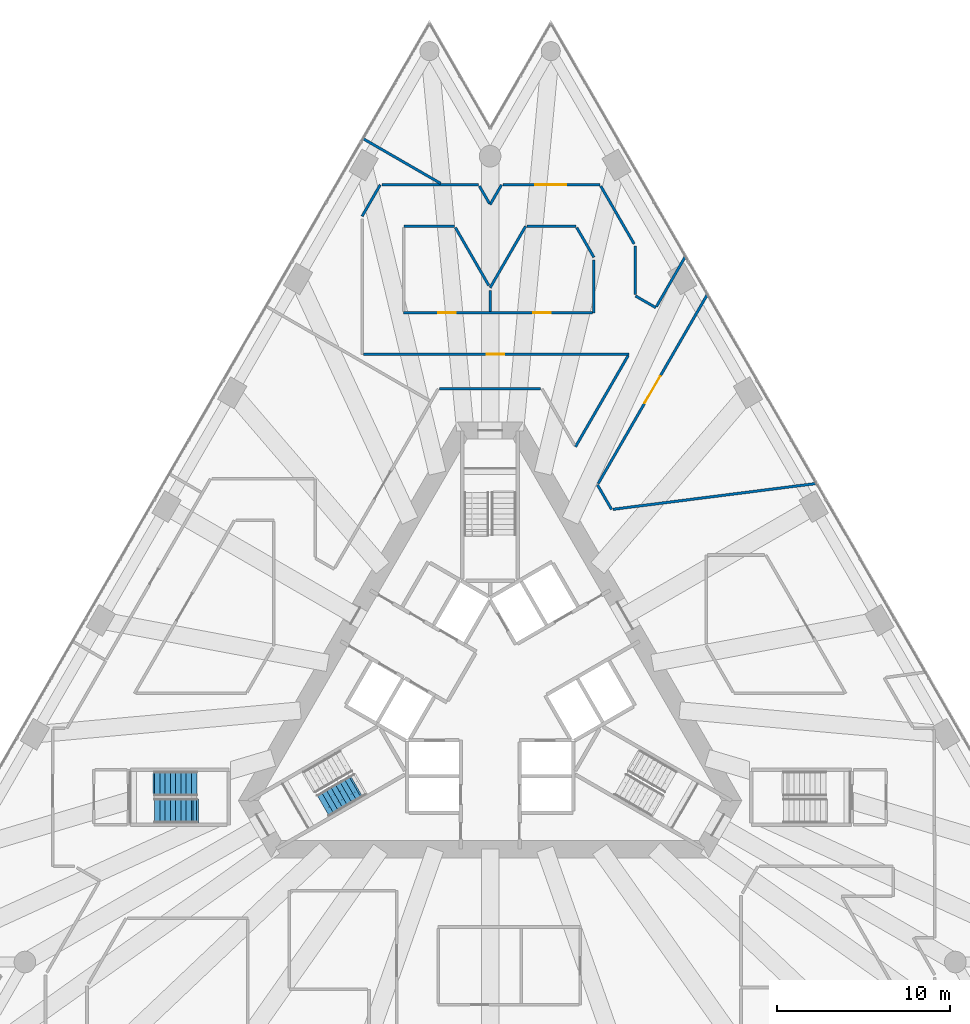
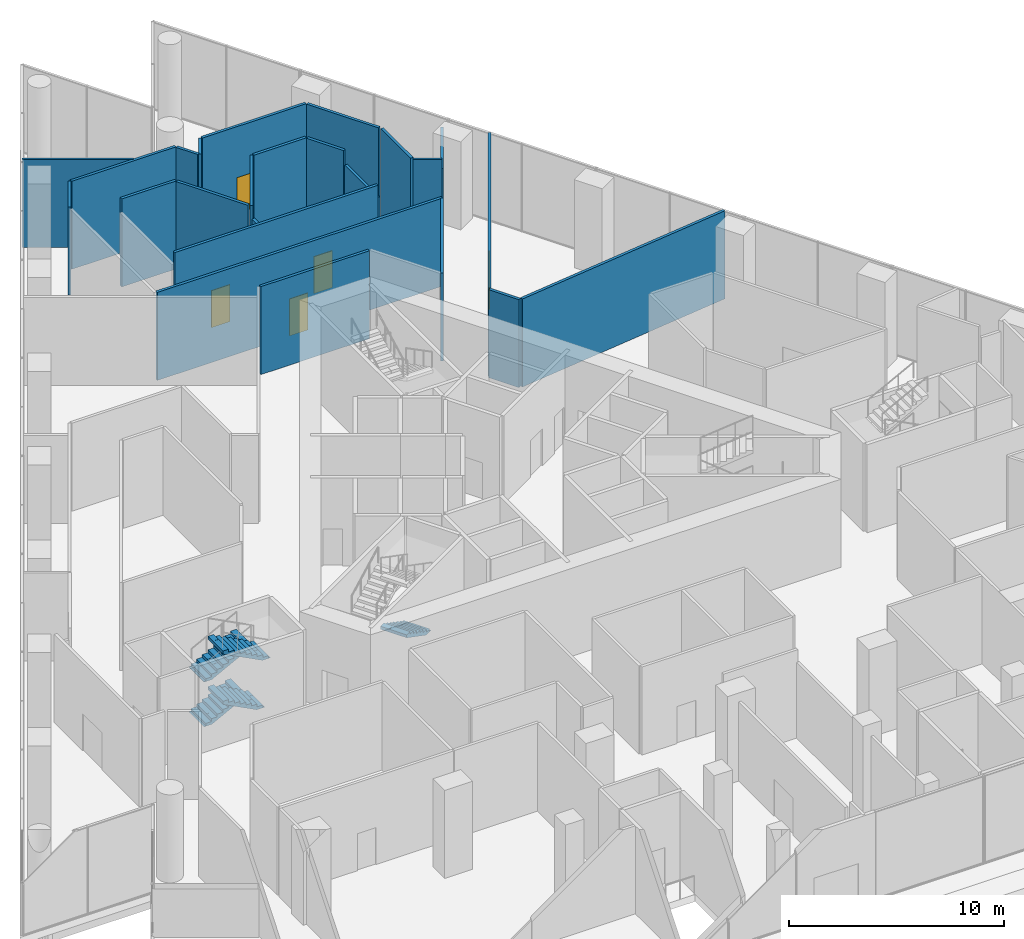
# One storey, part 25 of 29: 24 walls, 5 doors, 5 stair flights, 5 openings, 2 elements without a shape of their own.
"""IFC4 building model written with IfcOpenShell, lengths in metres."""

from ifc_helpers import new_model, si_unit, direction, frame, frame_2d, origin, place, context, subcontext, project, spatial, polyline, rectangle, outline, extrude, material, layer, layer_set, type_object, element, fill, aggregate, save


model = new_model("IFC4")

# Units and contexts
model_context = context("Model", 3, precision=1e-05, world=origin(), true_north=direction((0.0, 1.0)))
body_context = subcontext(model_context, "Body", "Model", "MODEL_VIEW")
ifc_project = project(units=[si_unit("LENGTHUNIT", "METRE"), si_unit("AREAUNIT", "SQUARE_METRE"), si_unit("VOLUMEUNIT", "CUBIC_METRE"), si_unit("PLANEANGLEUNIT", "RADIAN"), si_unit("MASSUNIT", "GRAM", prefix="KILO")], contexts=[model_context])

# Site, building, storey
site_placement = place(None, origin())
site = spatial("IfcSite", under=ifc_project, at=site_placement, CompositionType="ELEMENT")
building_placement = place(site_placement, origin())
building = spatial("IfcBuilding", under=site, at=building_placement, Name="Triada Interchange Tower", CompositionType="ELEMENT")
storey_placement = place(building_placement, frame((0.0, 0.0, 19.89990234375)))
storey = spatial("IfcBuildingStorey", under=building, at=storey_placement, Name="L03", CompositionType="ELEMENT", Elevation=19.89990234375)

# Walls
ifc_material_1 = material(Name="Gypsum board partition")
ifc_layer = layer(ifc_material_1, 0.14990234375)
ifc_layer_set = layer_set([ifc_layer], Name="PARTITION 150 EI 90")
wall_type = type_object("IfcWallType", Name="PARTITION 150 EI 90", PredefinedType="PARTITIONING", material=ifc_layer_set)
wall_1_placement = place(storey_placement, frame((-0.0029296875, 28.2509765625, 0.0), z_axis=(0.0, 0.0, 1.0), x_axis=(0.500644997499, 0.865652693913, 0.0)))
element("IfcWall", 1, at=wall_1_placement, inside=storey, type_object=wall_type, Name="Wall L03 36", PredefinedType="PARTITIONING", context=body_context, shape_type="SweptSolid", body=[
    extrude(rectangle(XDim=1.328369140625, YDim=0.14990234375, at=frame_2d((0.6640625, 0.0))), origin(), (0.0, 0.0, 1.0), 5.0),
])
wall_2_placement = place(storey_placement, frame((-7.39990234375, 27.58203125, 0.0), z_axis=(0.0, 0.0, 1.0), x_axis=(0.499742594395, 0.866173965983, 0.0)))
element("IfcWall", 2, at=wall_2_placement, inside=storey, type_object=wall_type, Name="Wall L03 42", PredefinedType="PARTITIONING", context=body_context, shape_type="SweptSolid", body=[
    extrude(rectangle(XDim=2.0986328125, YDim=0.14990234375, at=frame_2d((1.04931640625, 0.0))), origin(), (0.0, 0.0, 1.0), 5.0),
])
wall_3_placement = place(storey_placement, frame((-7.34912109375, 32.070068359375, 0.0), z_axis=(0.0, 0.0, 1.0), x_axis=(0.866049297308, -0.49995861292, 0.0)))
element("IfcWall", 3, at=wall_3_placement, inside=storey, type_object=wall_type, Name="Wall L03 53", PredefinedType="PARTITIONING", context=body_context, shape_type="SweptSolid", body=[
    extrude(rectangle(XDim=5.1904296875, YDim=0.14990234375, at=frame_2d((2.59521484375, 0.0))), origin(), (0.0, 0.0, 1.0), 5.0),
])
wall_4_placement = place(storey_placement, frame((8.39990234375, 22.97705078125, 0.0), z_axis=(0.0, 0.0, 1.0), x_axis=(0.866212506108, -0.499675789149, 0.0)))
element("IfcWall", 4, at=wall_4_placement, inside=storey, type_object=wall_type, Name="Wall L03 54", PredefinedType="PARTITIONING", context=body_context, shape_type="SweptSolid", body=[
    extrude(rectangle(XDim=1.35888671875, YDim=0.14990234375, at=frame_2d((0.679443359375, 0.0))), origin(), (0.0, 0.0, 1.0), 5.0),
])
wall_5_placement = place(storey_placement, frame((-6.263916015625, 29.39990234375, 0.0), z_axis=(0.0, 0.0, 1.0), x_axis=(1.0, 0.0, 0.0)))
element("IfcWall", 5, at=wall_5_placement, inside=storey, type_object=wall_type, Name="Wall L03 55", PredefinedType="PARTITIONING", context=body_context, shape_type="SweptSolid", body=[
    extrude(rectangle(XDim=5.599853515625, YDim=0.14990234375, at=frame_2d((2.7998046875, 0.0))), origin(), (0.0, 0.0, 1.0), 5.0),
])

# Wall, opening, door
wall_6_placement = place(storey_placement, frame((0.7509765625, 29.39990234375, 0.0), z_axis=(0.0, 0.0, 1.0), x_axis=(1.0, 0.0, 0.0)))
wall_6 = element("IfcWall", 6, at=wall_6_placement, inside=storey, type_object=wall_type, Name="Wall L03 56", PredefinedType="PARTITIONING", context=body_context, shape_type="SweptSolid", body=[
    extrude(rectangle(XDim=5.60009765625, YDim=0.14990234375, at=frame_2d((2.800048828125, 0.0))), origin(), (0.0, 0.0, 1.0), 5.0),
])
opening_1_placement = place(wall_6_placement, frame((1.85595703125, 0.0, 0.0)))
opening_1 = element("IfcOpeningElement", 7, at=opening_1_placement, cuts=wall_6, Name="Opening D03-37", PredefinedType="OPENING", context=body_context, shape_type="SweptSolid", body=[
    extrude(rectangle(XDim=1.800048828125, YDim=2.10009765625, at=frame_2d((0.89990234375, 1.050048828125))), frame((0.0, 0.0849609375, 0.0), z_axis=(0.0, -1.0, 0.0), x_axis=(1.0, 0.0, 0.0)), (0.0, 0.0, 1.0), 0.169921875),
])
ifc_material_2 = material(Name="Steel S235 door leaf", Category="steel")
door_type_1 = type_object("IfcDoorType", Name="SHOP AND HALL ENTRANCE DOOR 1800 EI2 90-C5S200", OperationType="DOUBLE_DOOR_SINGLE_SWING", PredefinedType="DOOR", material=ifc_material_2)
door_1_placement = place(opening_1_placement, origin())
door_1 = element("IfcDoor", 8, at=door_1_placement, inside=storey, type_object=door_type_1, Name="Door D03-37 L03", OperationType="DOUBLE_DOOR_SINGLE_SWING", OverallHeight=2.10009765625, OverallWidth=1.800048828125, PredefinedType="DOOR", context=body_context, shape_type="SweptSolid", body=[
    extrude(rectangle(XDim=1.800048828125, YDim=2.10009765625, at=frame_2d((0.89990234375, 1.050048828125))), frame((0.0, 0.02490234375, 0.0), z_axis=(0.0, -1.0, 0.0), x_axis=(1.0, 0.0, 0.0)), (0.0, 0.0, 1.0), 0.050048828125),
])
fill(opening_1, door_1)

wall_7_placement = place(storey_placement, frame((-7.324951171875, 19.60009765625, 0.0), z_axis=(0.0, 0.0, 1.0), x_axis=(1.0, 0.0, 0.0)))
wall_7 = element("IfcWall", 9, at=wall_7_placement, inside=storey, type_object=wall_type, Name="Wall L03 58", PredefinedType="PARTITIONING", context=body_context, shape_type="SweptSolid", body=[
    extrude(rectangle(XDim=15.343994140625, YDim=0.14990234375, at=frame_2d((7.671875, 0.0))), origin(), (0.0, 0.0, 1.0), 5.0),
])
opening_2_placement = place(wall_7_placement, frame((7.135009765625, 0.0, 0.0)))
opening_2 = element("IfcOpeningElement", 10, at=opening_2_placement, cuts=wall_7, Name="Opening D03-36", PredefinedType="OPENING", context=body_context, shape_type="SweptSolid", body=[
    extrude(rectangle(XDim=1.0, YDim=2.10009765625, at=frame_2d((0.5, 1.050048828125))), frame((0.0, 0.0849609375, 0.0), z_axis=(0.0, -1.0, 0.0), x_axis=(1.0, 0.0, 0.0)), (0.0, 0.0, 1.0), 0.169921875),
])
door_type_2 = type_object("IfcDoorType", Name="ROOM DOOR 1000 EI2 45-C5S200", OperationType="NOTDEFINED", PredefinedType="DOOR", material=ifc_material_2)
door_2_placement = place(opening_2_placement, origin())
door_2 = element("IfcDoor", 11, at=door_2_placement, inside=storey, type_object=door_type_2, Name="Door D03-36 L03", OperationType="SINGLE_SWING_RIGHT", OverallHeight=2.10009765625, OverallWidth=1.0, PredefinedType="DOOR", context=body_context, shape_type="SweptSolid", body=[
    extrude(rectangle(XDim=1.0, YDim=2.10009765625, at=frame_2d((0.5, 1.050048828125))), frame((0.0, 0.02490234375, 0.0), z_axis=(0.0, -1.0, 0.0), x_axis=(1.0, 0.0, 0.0)), (0.0, 0.0, 1.0), 0.050048828125),
])
fill(opening_2, door_2)

# Walls
wall_8_placement = place(storey_placement, frame((4.93310546875, 14.2548828125, 0.0), z_axis=(0.0, 0.0, 1.0), x_axis=(0.500039629421, 0.866002522519, 0.0)))
element("IfcWall", 12, at=wall_8_placement, inside=storey, type_object=wall_type, Name="Wall L03 59", PredefinedType="PARTITIONING", context=body_context, shape_type="SweptSolid", body=[
    extrude(rectangle(XDim=6.08544921875, YDim=0.14990234375, at=frame_2d((3.042724609375, 0.0))), origin(), (0.0, 0.0, 1.0), 5.0),
])
wall_9_placement = place(storey_placement, frame((9.614013671875, 22.363037109375, 0.0), z_axis=(0.0, 0.0, 1.0), x_axis=(0.500070516041, 0.865984687501, 0.0)))
element("IfcWall", 13, at=wall_9_placement, inside=storey, type_object=wall_type, Name="Wall L03 60", PredefinedType="PARTITIONING", context=body_context, shape_type="SweptSolid", body=[
    extrude(rectangle(XDim=3.33935546875, YDim=0.14990234375, at=frame_2d((1.669677734375, 0.0))), origin(), (0.0, 0.0, 1.0), 4.400146484375),
])
wall_10_placement = place(storey_placement, frame((6.202880859375, 12.054931640625, 0.0), z_axis=(0.0, 0.0, 1.0), x_axis=(0.500245418622, -0.865883664904, 0.0)))
element("IfcWall", 14, at=wall_10_placement, inside=storey, type_object=wall_type, Name="Wall L03 62", PredefinedType="PARTITIONING", context=body_context, shape_type="SweptSolid", body=[
    extrude(rectangle(XDim=1.643310546875, YDim=0.14990234375, at=frame_2d((0.82177734375, 0.0))), origin(), (0.0, 0.0, 1.0), 5.0),
])
wall_11_placement = place(storey_placement, frame((-2.916015625, 17.60009765625, 0.0), z_axis=(0.0, 0.0, 1.0), x_axis=(1.0, 0.0, 0.0)))
element("IfcWall", 15, at=wall_11_placement, inside=storey, type_object=wall_type, Name="Wall L03 63", PredefinedType="PARTITIONING", context=body_context, shape_type="SweptSolid", body=[
    extrude(rectangle(XDim=5.83203125, YDim=0.14990234375, at=frame_2d((2.916015625, 0.0))), origin(), (0.0, 0.0, 1.0), 5.0),
])
wall_12_placement = place(storey_placement, frame((8.39990234375, 23.06396484375, 0.0), z_axis=(0.0, 0.0, 1.0), x_axis=(0.0, 1.0, 0.0)))
element("IfcWall", 16, at=wall_12_placement, inside=storey, type_object=wall_type, Name="Wall L03 64", PredefinedType="PARTITIONING", context=body_context, shape_type="SweptSolid", body=[
    extrude(rectangle(XDim=2.7861328125, YDim=0.14990234375, at=frame_2d((1.39306640625, 0.0))), origin(), (0.0, 0.0, 1.0), 5.0),
])
wall_13_placement = place(storey_placement, frame((6.39404296875, 29.324951171875, 0.0), z_axis=(0.0, 0.0, 1.0), x_axis=(0.499939503595, -0.866060328583, 0.0)))
element("IfcWall", 17, at=wall_13_placement, inside=storey, type_object=wall_type, Name="Wall L03 65", PredefinedType="PARTITIONING", context=body_context, shape_type="SweptSolid", body=[
    extrude(rectangle(XDim=3.8623046875, YDim=0.14990234375, at=frame_2d((1.93115234375, 0.0))), origin(), (0.0, 0.0, 1.0), 5.0),
])
wall_14_placement = place(storey_placement, frame((-0.62109375, 29.324951171875, 0.0), z_axis=(0.0, 0.0, 1.0), x_axis=(0.500502949238, -0.865734831114, 0.0)))
element("IfcWall", 18, at=wall_14_placement, inside=storey, type_object=wall_type, Name="Wall L03 66", PredefinedType="PARTITIONING", context=body_context, shape_type="SweptSolid", body=[
    extrude(rectangle(XDim=1.155029296875, YDim=0.14990234375, at=frame_2d((0.57763671875, 0.0))), origin(), (0.0, 0.0, 1.0), 5.0),
])
wall_15_placement = place(storey_placement, frame((0.0, 23.448974609375, 0.0), z_axis=(0.0, 0.0, 1.0), x_axis=(0.499975007054, 0.866039832988, 0.0)))
element("IfcWall", 19, at=wall_15_placement, inside=storey, type_object=wall_type, Name="Wall L03 72", PredefinedType="PARTITIONING", context=body_context, shape_type="SweptSolid", body=[
    extrude(rectangle(XDim=4.100341796875, YDim=0.14990234375, at=frame_2d((2.05029296875, 0.0))), origin(), (0.0, 0.0, 1.0), 5.0),
])
wall_16_placement = place(storey_placement, frame((-4.965087890625, 27.0, 0.0), z_axis=(0.0, 0.0, 1.0), x_axis=(1.0, 0.0, 0.0)))
element("IfcWall", 20, at=wall_16_placement, inside=storey, type_object=wall_type, Name="Wall L03 73", PredefinedType="PARTITIONING", context=body_context, shape_type="SweptSolid", body=[
    extrude(rectangle(XDim=2.9150390625, YDim=0.14990234375, at=frame_2d((1.45751953125, 0.0))), origin(), (0.0, 0.0, 1.0), 5.0),
])
wall_17_placement = place(storey_placement, frame((2.135986328125, 27.0, 0.0), z_axis=(0.0, 0.0, 1.0), x_axis=(1.0, 0.0, 0.0)))
element("IfcWall", 21, at=wall_17_placement, inside=storey, type_object=wall_type, Name="Wall L03 74", PredefinedType="PARTITIONING", context=body_context, shape_type="SweptSolid", body=[
    extrude(rectangle(XDim=2.8291015625, YDim=0.14990234375, at=frame_2d((1.41455078125, 0.0))), origin(), (0.0, 0.0, 1.0), 5.0),
])
wall_18_placement = place(storey_placement, frame((5.008056640625, 26.925048828125, 0.0), z_axis=(0.0, 0.0, 1.0), x_axis=(0.500017181982, -0.866015483535, 0.0)))
element("IfcWall", 22, at=wall_18_placement, inside=storey, type_object=wall_type, Name="Wall L03 75", PredefinedType="PARTITIONING", context=body_context, shape_type="SweptSolid", body=[
    extrude(rectangle(XDim=1.98388671875, YDim=0.14990234375, at=frame_2d((0.991943359375, 0.0))), origin(), (0.0, 0.0, 1.0), 5.0),
])
wall_19_placement = place(storey_placement, frame((6.0, 22.0, 0.0), z_axis=(0.0, 0.0, 1.0), x_axis=(0.0, 1.0, 0.0)))
element("IfcWall", 23, at=wall_19_placement, inside=storey, type_object=wall_type, Name="Wall L03 77", PredefinedType="PARTITIONING", context=body_context, shape_type="SweptSolid", body=[
    extrude(rectangle(XDim=3.056884765625, YDim=0.14990234375, at=frame_2d((1.5283203125, 0.0))), origin(), (0.0, 0.0, 1.0), 4.25),
])

# Wall, openings, doors
wall_20_placement = place(storey_placement, frame((-5.0, 22.0, 0.0), z_axis=(0.0, 0.0, 1.0), x_axis=(1.0, 0.0, 0.0)))
wall_20 = element("IfcWall", 24, at=wall_20_placement, inside=storey, type_object=wall_type, Name="Wall L03 78", PredefinedType="PARTITIONING", context=body_context, shape_type="SweptSolid", body=[
    extrude(rectangle(XDim=10.925048828125, YDim=0.14990234375, at=frame_2d((5.46240234375, 0.0))), origin(), (0.0, 0.0, 1.0), 5.0),
])
opening_3_placement = place(wall_20_placement, frame((2.0, 0.0, 0.0)))
opening_3 = element("IfcOpeningElement", 25, at=opening_3_placement, cuts=wall_20, Name="Opening D03-28", PredefinedType="OPENING", context=body_context, shape_type="SweptSolid", body=[
    extrude(rectangle(XDim=1.0, YDim=2.10009765625, at=frame_2d((0.5, 1.050048828125))), frame((0.0, 0.0849609375, 0.0), z_axis=(0.0, -1.0, 0.0), x_axis=(1.0, 0.0, 0.0)), (0.0, 0.0, 1.0), 0.169921875),
])
opening_4_placement = place(wall_20_placement, frame((7.5, 0.0, 0.0)))
opening_4 = element("IfcOpeningElement", 26, at=opening_4_placement, cuts=wall_20, Name="Opening D03-29", PredefinedType="OPENING", context=body_context, shape_type="SweptSolid", body=[
    extrude(rectangle(XDim=1.0, YDim=2.10009765625, at=frame_2d((0.5, 1.050048828125))), frame((0.0, 0.0849609375, 0.0), z_axis=(0.0, -1.0, 0.0), x_axis=(1.0, 0.0, 0.0)), (0.0, 0.0, 1.0), 0.169921875),
])
door_3_placement = place(opening_3_placement, origin())
door_3 = element("IfcDoor", 27, at=door_3_placement, inside=storey, type_object=door_type_2, Name="Door D03-28 L03", OperationType="SINGLE_SWING_RIGHT", OverallHeight=2.10009765625, OverallWidth=1.0, PredefinedType="DOOR", context=body_context, shape_type="SweptSolid", body=[
    extrude(rectangle(XDim=1.0, YDim=2.10009765625, at=frame_2d((0.5, 1.050048828125))), frame((0.0, 0.02490234375, 0.0), z_axis=(0.0, -1.0, 0.0), x_axis=(1.0, 0.0, 0.0)), (0.0, 0.0, 1.0), 0.050048828125),
])
fill(opening_3, door_3)
door_4_placement = place(opening_4_placement, origin())
door_4 = element("IfcDoor", 28, at=door_4_placement, inside=storey, type_object=door_type_2, Name="Door D03-29 L03", OperationType="SINGLE_SWING_RIGHT", OverallHeight=2.10009765625, OverallWidth=1.0, PredefinedType="DOOR", context=body_context, shape_type="SweptSolid", body=[
    extrude(rectangle(XDim=1.0, YDim=2.10009765625, at=frame_2d((0.5, 1.050048828125))), frame((0.0, 0.02490234375, 0.0), z_axis=(0.0, -1.0, 0.0), x_axis=(1.0, 0.0, 0.0)), (0.0, 0.0, 1.0), 0.050048828125),
])
fill(opening_4, door_4)

# Walls
wall_21_placement = place(storey_placement, frame((0.0, 22.074951171875, 0.0), z_axis=(0.0, 0.0, 1.0), x_axis=(0.0, 1.0, 0.0)))
element("IfcWall", 29, at=wall_21_placement, inside=storey, type_object=wall_type, Name="Wall L03 79", PredefinedType="PARTITIONING", context=body_context, shape_type="SweptSolid", body=[
    extrude(rectangle(XDim=1.22412109375, YDim=0.14990234375, at=frame_2d((0.612060546875, 0.0))), origin(), (0.0, 0.0, 1.0), 4.35009765625),
])
wall_22_placement = place(storey_placement, frame((-2.007080078125, 26.925048828125, 0.0), z_axis=(0.0, 0.0, 1.0), x_axis=(0.500067035576, -0.865986697317, 0.0)))
element("IfcWall", 30, at=wall_22_placement, inside=storey, type_object=wall_type, Name="Wall L03 82", PredefinedType="PARTITIONING", context=body_context, shape_type="SweptSolid", body=[
    extrude(rectangle(XDim=3.86376953125, YDim=0.14990234375, at=frame_2d((1.931884765625, 0.0))), origin(), (0.0, 0.0, 1.0), 5.0),
])
wall_23_placement = place(storey_placement, frame((7.10595703125, 10.64306640625, 0.0), z_axis=(0.0, 0.0, 1.0), x_axis=(0.992038919821, 0.125931654321, 0.0)))
element("IfcWall", 31, at=wall_23_placement, inside=storey, type_object=wall_type, Name="Wall L03 89", PredefinedType="PARTITIONING", context=body_context, shape_type="SweptSolid", body=[
    extrude(rectangle(XDim=11.84716796875, YDim=0.14990234375, at=frame_2d((5.923583984375, 0.0))), origin(), (0.0, 0.0, 1.0), 5.0),
])

# Wall, opening, door
wall_24_placement = place(storey_placement, frame((6.2470703125, 12.1298828125, 0.0), z_axis=(0.0, 0.0, 1.0), x_axis=(0.49995867205, 0.866049263173, 0.0)))
wall_24 = element("IfcWall", 32, at=wall_24_placement, inside=storey, type_object=wall_type, Name="Wall L03 90", PredefinedType="PARTITIONING", context=body_context, shape_type="SweptSolid", body=[
    extrude(rectangle(XDim=12.61474609375, YDim=0.14990234375, at=frame_2d((6.307373046875, 0.0))), origin(), (0.0, 0.0, 1.0), 5.0),
])
opening_5_placement = place(wall_24_placement, frame((5.364013671875, 0.0, 0.0)))
opening_5 = element("IfcOpeningElement", 33, at=opening_5_placement, cuts=wall_24, Name="Opening D03-39", PredefinedType="OPENING", context=body_context, shape_type="SweptSolid", body=[
    extrude(rectangle(XDim=1.800048828125, YDim=2.10009765625, at=frame_2d((0.89990234375, 1.050048828125))), frame((0.0, 0.0849609375, 0.0), z_axis=(0.0, -1.0, 0.0), x_axis=(1.0, 0.0, 0.0)), (0.0, 0.0, 1.0), 0.169921875),
])
door_5_placement = place(opening_5_placement, origin())
door_5 = element("IfcDoor", 34, at=door_5_placement, inside=storey, type_object=door_type_1, Name="Door D03-39 L03", OperationType="DOUBLE_DOOR_SINGLE_SWING", OverallHeight=2.10009765625, OverallWidth=1.800048828125, PredefinedType="DOOR", context=body_context, shape_type="SweptSolid", body=[
    extrude(rectangle(XDim=1.800048828125, YDim=2.10009765625, at=frame_2d((0.89990234375, 1.050048828125))), frame((0.0, 0.02490234375, 0.0), z_axis=(0.0, -1.0, 0.0), x_axis=(1.0, 0.0, 0.0)), (0.0, 0.0, 1.0), 0.050048828125),
])
fill(opening_5, door_5)

# Stair, stair flight
ifc_material_3 = material(Name="Concrete C35/45", Category="concrete")
stair_type = type_object("IfcStairType", Name="HALF TURN STAIR 1400", PredefinedType="HALF_TURN_STAIR", material=ifc_material_3)
stair_1_placement = place(storey_placement, origin())
stair_1 = element("IfcStair", 35, at=stair_1_placement, inside=storey, type_object=stair_type, Name="Exit stair S03-2", PredefinedType="HALF_TURN_STAIR")
stair_flight_type = type_object("IfcStairFlightType", Name="STRAIGHT STAIR FLIGHT 1400", PredefinedType="STRAIGHT", material=ifc_material_3)
stair_flight_1_placement = place(storey_placement, frame((-7.797119140625, -5.425048828125, 1.270751953125), z_axis=(0.0, 0.0, 1.0), x_axis=(-0.866025403784, -0.5, 0.0)))
stair_flight_1 = element("IfcStairFlight", 36, at=stair_flight_1_placement, type_object=stair_flight_type, Name="S03-2 flight 2", NumberOfRisers=8, NumberOfTreads=7, PredefinedType="STRAIGHT", RiserHeight=0.15882, TreadLength=0.305, context=body_context, shape_type="SweptSolid", body=[
    extrude(outline(polyline([(-0.10009765625, 0.0), (-0.10009765625, 0.02001953125), (0.0, 0.02001953125), (0.0, 0.158935546875), (0.304931640625, 0.158935546875), (0.304931640625, 0.317626953125), (0.610107421875, 0.317626953125), (0.610107421875, 0.4765625), (0.9150390625, 0.4765625), (0.9150390625, 0.63525390625), (1.219970703125, 0.63525390625), (1.219970703125, 0.794189453125), (1.52490234375, 0.794189453125), (1.52490234375, 0.952880859375), (1.830078125, 0.952880859375), (1.830078125, 1.11181640625), (2.135009765625, 1.11181640625), (2.138916015625, 1.11181640625), (2.138916015625, 1.2705078125), (2.138916015625, 0.942626953125), (0.324462890625, 0.0), (-0.10009765625, 0.0)])), frame((0.0, 0.699951171875, 0.0), z_axis=(0.0, -1.0, 0.0), x_axis=(1.0, 0.0, 0.0)), (0.0, 0.0, 1.0), 0.46533203125),
    extrude(outline(polyline([(-0.10009765625, 0.0), (-0.10009765625, 0.02001953125), (0.0, 0.02001953125), (0.0, 0.158935546875), (0.304931640625, 0.158935546875), (0.304931640625, 0.317626953125), (0.610107421875, 0.317626953125), (0.610107421875, 0.4765625), (0.9150390625, 0.4765625), (0.9150390625, 0.63525390625), (1.219970703125, 0.63525390625), (1.219970703125, 0.794189453125), (1.52490234375, 0.794189453125), (1.52490234375, 0.952880859375), (1.830078125, 0.952880859375), (1.830078125, 1.11181640625), (2.135009765625, 1.11181640625), (2.138916015625, 1.11181640625), (2.138916015625, 1.2705078125), (2.138916015625, 0.942626953125), (0.324462890625, 0.0), (-0.10009765625, 0.0)])), frame((0.0, 0.232666015625, 0.0), z_axis=(0.0, -1.0, 0.0), x_axis=(1.0, 0.0, 0.0)), (0.0, 0.0, 1.0), 0.46533203125),
    extrude(outline(polyline([(-0.10009765625, 0.0), (-0.10009765625, 0.02001953125), (0.0, 0.02001953125), (0.0, 0.158935546875), (0.304931640625, 0.158935546875), (0.304931640625, 0.317626953125), (0.610107421875, 0.317626953125), (0.610107421875, 0.4765625), (0.9150390625, 0.4765625), (0.9150390625, 0.63525390625), (1.219970703125, 0.63525390625), (1.219970703125, 0.794189453125), (1.52490234375, 0.794189453125), (1.52490234375, 0.952880859375), (1.830078125, 0.952880859375), (1.830078125, 1.11181640625), (2.135009765625, 1.11181640625), (2.138916015625, 1.11181640625), (2.138916015625, 1.2705078125), (2.138916015625, 0.942626953125), (0.324462890625, 0.0), (-0.10009765625, 0.0)])), frame((0.0, -0.234619140625, 0.0), z_axis=(0.0, -1.0, 0.0), x_axis=(1.0, 0.0, 0.0)), (0.0, 0.0, 1.0), 0.46533203125),
])
aggregate(stair_1, [stair_flight_1])

# Stair, stair flights
stair_2_placement = place(storey_placement, origin())
stair_2 = element("IfcStair", 37, at=stair_2_placement, inside=storey, type_object=stair_type, Name="Exit stair S03-6", PredefinedType="HALF_TURN_STAIR")
stair_flight_2_placement = place(storey_placement, frame((-19.39990234375, -5.199951171875, 0.0), z_axis=(0.0, 0.0, 1.0), x_axis=(1.0, 0.0, 0.0)))
stair_flight_2 = element("IfcStairFlight", 38, at=stair_flight_2_placement, type_object=stair_flight_type, Name="S03-6 flight 1", NumberOfRisers=8, NumberOfTreads=7, PredefinedType="STRAIGHT", RiserHeight=0.15882, TreadLength=0.305, context=body_context, shape_type="SweptSolid", body=[
    extrude(outline(polyline([(-0.10009765625, 0.0), (-0.10009765625, 0.02001953125), (0.0, 0.02001953125), (0.0, 0.158935546875), (0.304931640625, 0.158935546875), (0.304931640625, 0.317626953125), (0.610107421875, 0.317626953125), (0.610107421875, 0.4765625), (0.9150390625, 0.4765625), (0.9150390625, 0.63525390625), (1.219970703125, 0.63525390625), (1.219970703125, 0.794189453125), (1.52490234375, 0.794189453125), (1.52490234375, 0.952880859375), (1.830078125, 0.952880859375), (1.830078125, 1.11181640625), (2.135009765625, 1.11181640625), (2.138916015625, 1.11181640625), (2.138916015625, 1.2705078125), (2.138916015625, 0.942626953125), (0.324462890625, 0.0), (-0.10009765625, 0.0)])), frame((0.0, 0.699951171875, 0.0), z_axis=(0.0, -1.0, 0.0), x_axis=(1.0, 0.0, 0.0)), (0.0, 0.0, 1.0), 0.46533203125),
    extrude(outline(polyline([(-0.10009765625, 0.0), (-0.10009765625, 0.02001953125), (0.0, 0.02001953125), (0.0, 0.158935546875), (0.304931640625, 0.158935546875), (0.304931640625, 0.317626953125), (0.610107421875, 0.317626953125), (0.610107421875, 0.4765625), (0.9150390625, 0.4765625), (0.9150390625, 0.63525390625), (1.219970703125, 0.63525390625), (1.219970703125, 0.794189453125), (1.52490234375, 0.794189453125), (1.52490234375, 0.952880859375), (1.830078125, 0.952880859375), (1.830078125, 1.11181640625), (2.135009765625, 1.11181640625), (2.138916015625, 1.11181640625), (2.138916015625, 1.2705078125), (2.138916015625, 0.942626953125), (0.324462890625, 0.0), (-0.10009765625, 0.0)])), frame((0.0, 0.232666015625, 0.0), z_axis=(0.0, -1.0, 0.0), x_axis=(1.0, 0.0, 0.0)), (0.0, 0.0, 1.0), 0.46533203125),
    extrude(outline(polyline([(-0.10009765625, 0.0), (-0.10009765625, 0.02001953125), (0.0, 0.02001953125), (0.0, 0.158935546875), (0.304931640625, 0.158935546875), (0.304931640625, 0.317626953125), (0.610107421875, 0.317626953125), (0.610107421875, 0.4765625), (0.9150390625, 0.4765625), (0.9150390625, 0.63525390625), (1.219970703125, 0.63525390625), (1.219970703125, 0.794189453125), (1.52490234375, 0.794189453125), (1.52490234375, 0.952880859375), (1.830078125, 0.952880859375), (1.830078125, 1.11181640625), (2.135009765625, 1.11181640625), (2.138916015625, 1.11181640625), (2.138916015625, 1.2705078125), (2.138916015625, 0.942626953125), (0.324462890625, 0.0), (-0.10009765625, 0.0)])), frame((0.0, -0.234619140625, 0.0), z_axis=(0.0, -1.0, 0.0), x_axis=(1.0, 0.0, 0.0)), (0.0, 0.0, 1.0), 0.46533203125),
])
stair_flight_3_placement = place(storey_placement, frame((-17.264892578125, -6.800048828125, 1.270751953125), z_axis=(0.0, 0.0, 1.0), x_axis=(-1.0, 0.0, 0.0)))
stair_flight_3 = element("IfcStairFlight", 39, at=stair_flight_3_placement, type_object=stair_flight_type, Name="S03-6 flight 2", NumberOfRisers=8, NumberOfTreads=7, PredefinedType="STRAIGHT", RiserHeight=0.15882, TreadLength=0.305, context=body_context, shape_type="SweptSolid", body=[
    extrude(outline(polyline([(-0.10009765625, 0.0), (-0.10009765625, 0.02001953125), (0.0, 0.02001953125), (0.0, 0.158935546875), (0.304931640625, 0.158935546875), (0.304931640625, 0.317626953125), (0.610107421875, 0.317626953125), (0.610107421875, 0.4765625), (0.9150390625, 0.4765625), (0.9150390625, 0.63525390625), (1.219970703125, 0.63525390625), (1.219970703125, 0.794189453125), (1.52490234375, 0.794189453125), (1.52490234375, 0.952880859375), (1.830078125, 0.952880859375), (1.830078125, 1.11181640625), (2.135009765625, 1.11181640625), (2.138916015625, 1.11181640625), (2.138916015625, 1.2705078125), (2.138916015625, 0.942626953125), (0.324462890625, 0.0), (-0.10009765625, 0.0)])), frame((0.0, 0.699951171875, 0.0), z_axis=(0.0, -1.0, 0.0), x_axis=(1.0, 0.0, 0.0)), (0.0, 0.0, 1.0), 0.46533203125),
    extrude(outline(polyline([(-0.10009765625, 0.0), (-0.10009765625, 0.02001953125), (0.0, 0.02001953125), (0.0, 0.158935546875), (0.304931640625, 0.158935546875), (0.304931640625, 0.317626953125), (0.610107421875, 0.317626953125), (0.610107421875, 0.4765625), (0.9150390625, 0.4765625), (0.9150390625, 0.63525390625), (1.219970703125, 0.63525390625), (1.219970703125, 0.794189453125), (1.52490234375, 0.794189453125), (1.52490234375, 0.952880859375), (1.830078125, 0.952880859375), (1.830078125, 1.11181640625), (2.135009765625, 1.11181640625), (2.138916015625, 1.11181640625), (2.138916015625, 1.2705078125), (2.138916015625, 0.942626953125), (0.324462890625, 0.0), (-0.10009765625, 0.0)])), frame((0.0, 0.232666015625, 0.0), z_axis=(0.0, -1.0, 0.0), x_axis=(1.0, 0.0, 0.0)), (0.0, 0.0, 1.0), 0.46533203125),
    extrude(outline(polyline([(-0.10009765625, 0.0), (-0.10009765625, 0.02001953125), (0.0, 0.02001953125), (0.0, 0.158935546875), (0.304931640625, 0.158935546875), (0.304931640625, 0.317626953125), (0.610107421875, 0.317626953125), (0.610107421875, 0.4765625), (0.9150390625, 0.4765625), (0.9150390625, 0.63525390625), (1.219970703125, 0.63525390625), (1.219970703125, 0.794189453125), (1.52490234375, 0.794189453125), (1.52490234375, 0.952880859375), (1.830078125, 0.952880859375), (1.830078125, 1.11181640625), (2.135009765625, 1.11181640625), (2.138916015625, 1.11181640625), (2.138916015625, 1.2705078125), (2.138916015625, 0.942626953125), (0.324462890625, 0.0), (-0.10009765625, 0.0)])), frame((0.0, -0.234619140625, 0.0), z_axis=(0.0, -1.0, 0.0), x_axis=(1.0, 0.0, 0.0)), (0.0, 0.0, 1.0), 0.46533203125),
])
stair_flight_4_placement = place(storey_placement, frame((-19.39990234375, -5.199951171875, 2.541259765625), z_axis=(0.0, 0.0, 1.0), x_axis=(1.0, 0.0, 0.0)))
stair_flight_4 = element("IfcStairFlight", 40, at=stair_flight_4_placement, type_object=stair_flight_type, Name="S03-6 flight 3", NumberOfRisers=9, NumberOfTreads=8, PredefinedType="STRAIGHT", RiserHeight=0.15882, TreadLength=0.305, context=body_context, shape_type="SweptSolid", body=[
    extrude(outline(polyline([(-0.10009765625, 0.0), (-0.10009765625, 0.02001953125), (0.0, 0.02001953125), (0.0, 0.158935546875), (0.304931640625, 0.158935546875), (0.304931640625, 0.317626953125), (0.610107421875, 0.317626953125), (0.610107421875, 0.4765625), (0.9150390625, 0.4765625), (0.9150390625, 0.63525390625), (1.219970703125, 0.63525390625), (1.219970703125, 0.794189453125), (1.52490234375, 0.794189453125), (1.52490234375, 0.952880859375), (1.830078125, 0.952880859375), (1.830078125, 1.11181640625), (2.135009765625, 1.11181640625), (2.135009765625, 1.2705078125), (2.43994140625, 1.2705078125), (2.444091796875, 1.2705078125), (2.444091796875, 1.429443359375), (2.444091796875, 1.1015625), (0.324462890625, 0.0), (-0.10009765625, 0.0)])), frame((0.0, 0.699951171875, 0.0), z_axis=(0.0, -1.0, 0.0), x_axis=(1.0, 0.0, 0.0)), (0.0, 0.0, 1.0), 0.46533203125),
    extrude(outline(polyline([(-0.10009765625, 0.0), (-0.10009765625, 0.02001953125), (0.0, 0.02001953125), (0.0, 0.158935546875), (0.304931640625, 0.158935546875), (0.304931640625, 0.317626953125), (0.610107421875, 0.317626953125), (0.610107421875, 0.4765625), (0.9150390625, 0.4765625), (0.9150390625, 0.63525390625), (1.219970703125, 0.63525390625), (1.219970703125, 0.794189453125), (1.52490234375, 0.794189453125), (1.52490234375, 0.952880859375), (1.830078125, 0.952880859375), (1.830078125, 1.11181640625), (2.135009765625, 1.11181640625), (2.135009765625, 1.2705078125), (2.43994140625, 1.2705078125), (2.444091796875, 1.2705078125), (2.444091796875, 1.429443359375), (2.444091796875, 1.1015625), (0.324462890625, 0.0), (-0.10009765625, 0.0)])), frame((0.0, 0.232666015625, 0.0), z_axis=(0.0, -1.0, 0.0), x_axis=(1.0, 0.0, 0.0)), (0.0, 0.0, 1.0), 0.46533203125),
    extrude(outline(polyline([(-0.10009765625, 0.0), (-0.10009765625, 0.02001953125), (0.0, 0.02001953125), (0.0, 0.158935546875), (0.304931640625, 0.158935546875), (0.304931640625, 0.317626953125), (0.610107421875, 0.317626953125), (0.610107421875, 0.4765625), (0.9150390625, 0.4765625), (0.9150390625, 0.63525390625), (1.219970703125, 0.63525390625), (1.219970703125, 0.794189453125), (1.52490234375, 0.794189453125), (1.52490234375, 0.952880859375), (1.830078125, 0.952880859375), (1.830078125, 1.11181640625), (2.135009765625, 1.11181640625), (2.135009765625, 1.2705078125), (2.43994140625, 1.2705078125), (2.444091796875, 1.2705078125), (2.444091796875, 1.429443359375), (2.444091796875, 1.1015625), (0.324462890625, 0.0), (-0.10009765625, 0.0)])), frame((0.0, -0.234619140625, 0.0), z_axis=(0.0, -1.0, 0.0), x_axis=(1.0, 0.0, 0.0)), (0.0, 0.0, 1.0), 0.46533203125),
])
stair_flight_5_placement = place(storey_placement, frame((-16.9599609375, -6.800048828125, 3.970703125), z_axis=(0.0, 0.0, 1.0), x_axis=(-1.0, 0.0, 0.0)))
stair_flight_5 = element("IfcStairFlight", 41, at=stair_flight_5_placement, type_object=stair_flight_type, Name="S03-6 flight 4", NumberOfRisers=9, NumberOfTreads=8, PredefinedType="STRAIGHT", RiserHeight=0.15882, TreadLength=0.305, context=body_context, shape_type="SweptSolid", body=[
    extrude(outline(polyline([(-0.10009765625, 0.0), (-0.10009765625, 0.02001953125), (0.0, 0.02001953125), (0.0, 0.158935546875), (0.304931640625, 0.158935546875), (0.304931640625, 0.317626953125), (0.610107421875, 0.317626953125), (0.610107421875, 0.4765625), (0.9150390625, 0.4765625), (0.9150390625, 0.63525390625), (1.219970703125, 0.63525390625), (1.219970703125, 0.794189453125), (1.52490234375, 0.794189453125), (1.52490234375, 0.952880859375), (1.830078125, 0.952880859375), (1.830078125, 1.11181640625), (2.135009765625, 1.11181640625), (2.135009765625, 1.2705078125), (2.43994140625, 1.2705078125), (2.444091796875, 1.2705078125), (2.444091796875, 1.429443359375), (2.444091796875, 1.1015625), (0.324462890625, 0.0), (-0.10009765625, 0.0)])), frame((0.0, 0.699951171875, 0.0), z_axis=(0.0, -1.0, 0.0), x_axis=(1.0, 0.0, 0.0)), (0.0, 0.0, 1.0), 0.46533203125),
    extrude(outline(polyline([(-0.10009765625, 0.0), (-0.10009765625, 0.02001953125), (0.0, 0.02001953125), (0.0, 0.158935546875), (0.304931640625, 0.158935546875), (0.304931640625, 0.317626953125), (0.610107421875, 0.317626953125), (0.610107421875, 0.4765625), (0.9150390625, 0.4765625), (0.9150390625, 0.63525390625), (1.219970703125, 0.63525390625), (1.219970703125, 0.794189453125), (1.52490234375, 0.794189453125), (1.52490234375, 0.952880859375), (1.830078125, 0.952880859375), (1.830078125, 1.11181640625), (2.135009765625, 1.11181640625), (2.135009765625, 1.2705078125), (2.43994140625, 1.2705078125), (2.444091796875, 1.2705078125), (2.444091796875, 1.429443359375), (2.444091796875, 1.1015625), (0.324462890625, 0.0), (-0.10009765625, 0.0)])), frame((0.0, 0.232666015625, 0.0), z_axis=(0.0, -1.0, 0.0), x_axis=(1.0, 0.0, 0.0)), (0.0, 0.0, 1.0), 0.46533203125),
    extrude(outline(polyline([(-0.10009765625, 0.0), (-0.10009765625, 0.02001953125), (0.0, 0.02001953125), (0.0, 0.158935546875), (0.304931640625, 0.158935546875), (0.304931640625, 0.317626953125), (0.610107421875, 0.317626953125), (0.610107421875, 0.4765625), (0.9150390625, 0.4765625), (0.9150390625, 0.63525390625), (1.219970703125, 0.63525390625), (1.219970703125, 0.794189453125), (1.52490234375, 0.794189453125), (1.52490234375, 0.952880859375), (1.830078125, 0.952880859375), (1.830078125, 1.11181640625), (2.135009765625, 1.11181640625), (2.135009765625, 1.2705078125), (2.43994140625, 1.2705078125), (2.444091796875, 1.2705078125), (2.444091796875, 1.429443359375), (2.444091796875, 1.1015625), (0.324462890625, 0.0), (-0.10009765625, 0.0)])), frame((0.0, -0.234619140625, 0.0), z_axis=(0.0, -1.0, 0.0), x_axis=(1.0, 0.0, 0.0)), (0.0, 0.0, 1.0), 0.46533203125),
])
aggregate(stair_2, [stair_flight_2, stair_flight_3, stair_flight_4, stair_flight_5])

save(model, "model.ifc")
